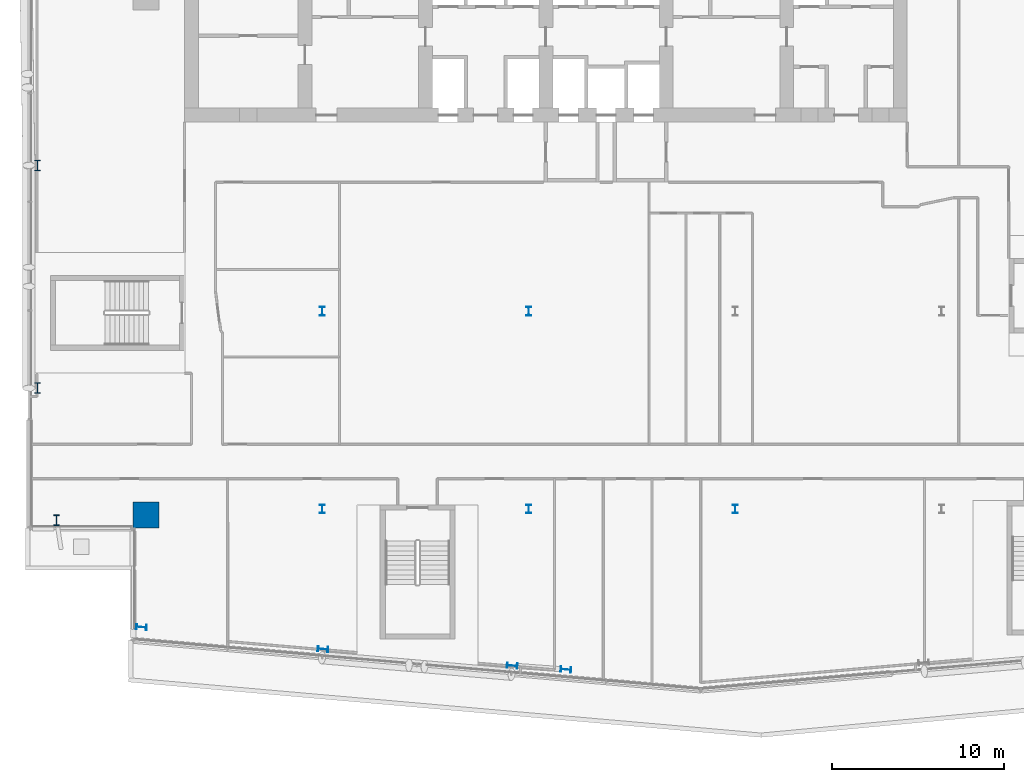
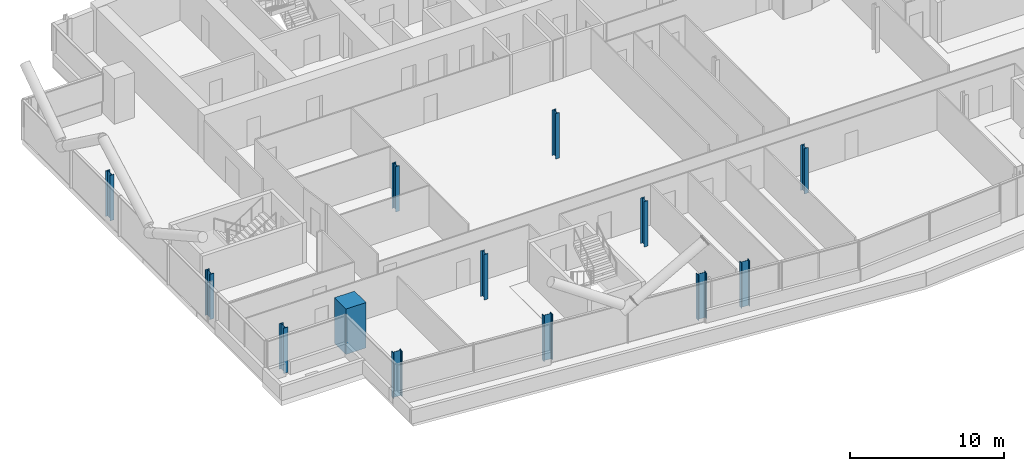
# One storey, part 1 of 30: 13 columns.
"""IFC4 building model written with IfcOpenShell, lengths in metres."""

from ifc_helpers import new_model, si_unit, direction, frame, origin, origin_2d, place, context, subcontext, project, spatial, rectangle, i_section, extrude, material, material_profile, profile_set, type_object, element, save


model = new_model("IFC4")

# Units and contexts
model_context = context("Model", 3, precision=1e-05, world=origin(), true_north=direction((0.0, 1.0)))
body_context = subcontext(model_context, "Body", "Model", "MODEL_VIEW")
ifc_project = project(units=[si_unit("LENGTHUNIT", "METRE"), si_unit("AREAUNIT", "SQUARE_METRE"), si_unit("VOLUMEUNIT", "CUBIC_METRE"), si_unit("PLANEANGLEUNIT", "RADIAN"), si_unit("MASSUNIT", "GRAM", prefix="KILO")], contexts=[model_context])

# Site, building, storey
site_placement = place(None, origin())
site = spatial("IfcSite", under=ifc_project, at=site_placement, CompositionType="ELEMENT")
building_placement = place(site_placement, origin())
building = spatial("IfcBuilding", under=site, at=building_placement, Name="Wharfspan Tower", CompositionType="ELEMENT")
storey_placement = place(building_placement, frame((0.0, 0.0, 151.899902)))
storey = spatial("IfcBuildingStorey", under=building, at=storey_placement, Name="L36", CompositionType="ELEMENT", Elevation=151.899902)

# Columns
ifc_material_1 = material(Name="Steel S355J2", Category="steel")
ifc_material_profile_1 = material_profile(ifc_material_1, i_section(OverallWidth=0.300049, OverallDepth=0.5, WebThickness=0.014404, FlangeThickness=0.028076, FilletRadius=0.0271, at=origin_2d()))
ifc_profile_set_1 = profile_set([ifc_material_profile_1], Name="Steel S355J2")
column_type_1 = type_object("IfcColumnType", Name="Column HEB 500", PredefinedType="COLUMN", material=ifc_profile_set_1)
for number, where, z_axis, x_axis, name in (
    (1, (24.0, 11.5, 0.0), (0.0, 0.0, 1.0), (1.0, 0.0, 0.0), "Interior column I.1.1 L36"),
    (2, (36.0, 11.5, 0.0), (0.0, 0.0, 1.0), (1.0, 0.0, 0.0), "Interior column I.1.2 L36"),
    (3, (48.0, 11.5, 0.0), (0.0, 0.0, 1.0), (1.0, 0.0, 0.0), "Interior column I.1.3 L36"),
    (4, (24.0, 23.0, 0.0), (0.0, 0.0, 1.0), (1.0, 0.0, 0.0), "Interior column I.2.1 L36"),
    (5, (36.0, 23.0, 0.0), (0.0, 0.0, 1.0), (1.0, 0.0, 0.0), "Interior column I.2.2 L36"),
):
    element("IfcColumn", number, at=place(storey_placement, frame(where, z_axis=z_axis, x_axis=x_axis)), inside=storey, type_object=column_type_1, Name=name, PredefinedType="COLUMN", context=body_context, shape_type="SweptSolid", body=[
        extrude(i_section(OverallWidth=0.300049, OverallDepth=0.5, WebThickness=0.014404, FlangeThickness=0.028076, FilletRadius=0.0271, at=origin_2d()), origin(), (0.0, 0.0, 1.0), 3.600098),
    ])
ifc_material_profile_2 = material_profile(ifc_material_1, i_section(OverallWidth=0.304932, OverallDepth=0.620117, WebThickness=0.020996, FlangeThickness=0.040039, FilletRadius=0.0271, at=origin_2d()))
ifc_profile_set_2 = profile_set([ifc_material_profile_2], Name="Steel S355J2")
column_type_2 = type_object("IfcColumnType", Name="Column HEM 600", PredefinedType="COLUMN", material=ifc_profile_set_2)
for number, where, z_axis, x_axis, name in (
    (6, (13.490723, 4.637451, 0.0), (0.0, 0.0, 1.0), (-0.087156, -0.996198, 0.0), "Perimeter column PS1.1 L36"),
    (7, (24.039307, 3.361084, 0.0), (0.0, 0.0, 1.0), (-0.087156, -0.996198, 0.0), "Perimeter column PS1.2 L36"),
    (8, (35.039307, 2.398682, 0.0), (0.0, 0.0, 1.0), (-0.087156, -0.996198, 0.0), "Perimeter column PS1.3 L36"),
    (9, (38.161133, 2.174072, 0.0), (0.0, 0.0, 1.0), (-0.087156, -0.996198, 0.0), "Perimeter column PS1.4 L36"),
    (10, (7.449951, 31.466553, 0.0), (0.0, 0.0, 1.0), (-1.0, 0.0, 0.0), "Perimeter column PW.1 L36"),
    (11, (7.449951, 18.533447, 0.0), (0.0, 0.0, 1.0), (-1.0, 0.0, 0.0), "Perimeter column PW.2 L36"),
    (12, (8.560791, 10.854004, 0.0), (0.0, 0.0, 1.0), (-1.0, 0.0, 0.0), "Perimeter column PW.3 L36"),
):
    element("IfcColumn", number, at=place(storey_placement, frame(where, z_axis=z_axis, x_axis=x_axis)), inside=storey, type_object=column_type_2, Name=name, PredefinedType="COLUMN", context=body_context, shape_type="SweptSolid", body=[
        extrude(i_section(OverallWidth=0.304932, OverallDepth=0.620117, WebThickness=0.020996, FlangeThickness=0.040039, FilletRadius=0.0271, at=origin_2d()), origin(), (0.0, 0.0, 1.0), 3.600098),
    ])
ifc_material_2 = material(Name="Concrete C60/75", Category="concrete")
ifc_material_profile_3 = material_profile(ifc_material_2, rectangle(XDim=1.5, YDim=1.5, at=origin_2d()))
ifc_profile_set_3 = profile_set([ifc_material_profile_3], Name="Concrete C60/75")
column_type_3 = type_object("IfcColumnType", Name="Mega column 1500 C60/75", PredefinedType="COLUMN", material=ifc_profile_set_3)
column_placement = place(storey_placement, frame((13.75, 11.149902, 0.0), z_axis=(0.0, 0.0, 1.0), x_axis=(1.0, 0.0, 0.0)))
element("IfcColumn", 13, at=column_placement, inside=storey, type_object=column_type_3, Name="Mega column MC1 L36", PredefinedType="COLUMN", context=body_context, shape_type="SweptSolid", body=[
    extrude(rectangle(XDim=1.5, YDim=1.5, at=origin_2d()), origin(), (0.0, 0.0, 1.0), 3.600098),
])

save(model, "model.ifc")
